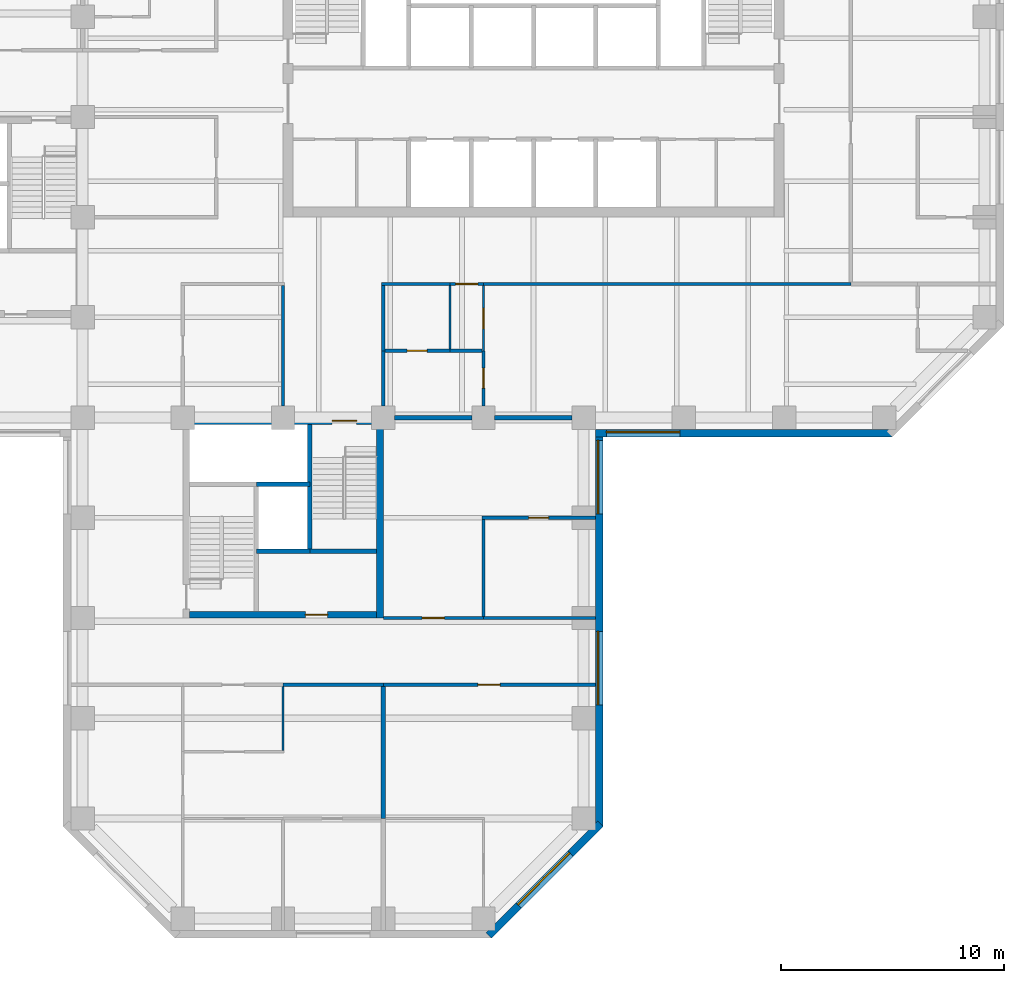
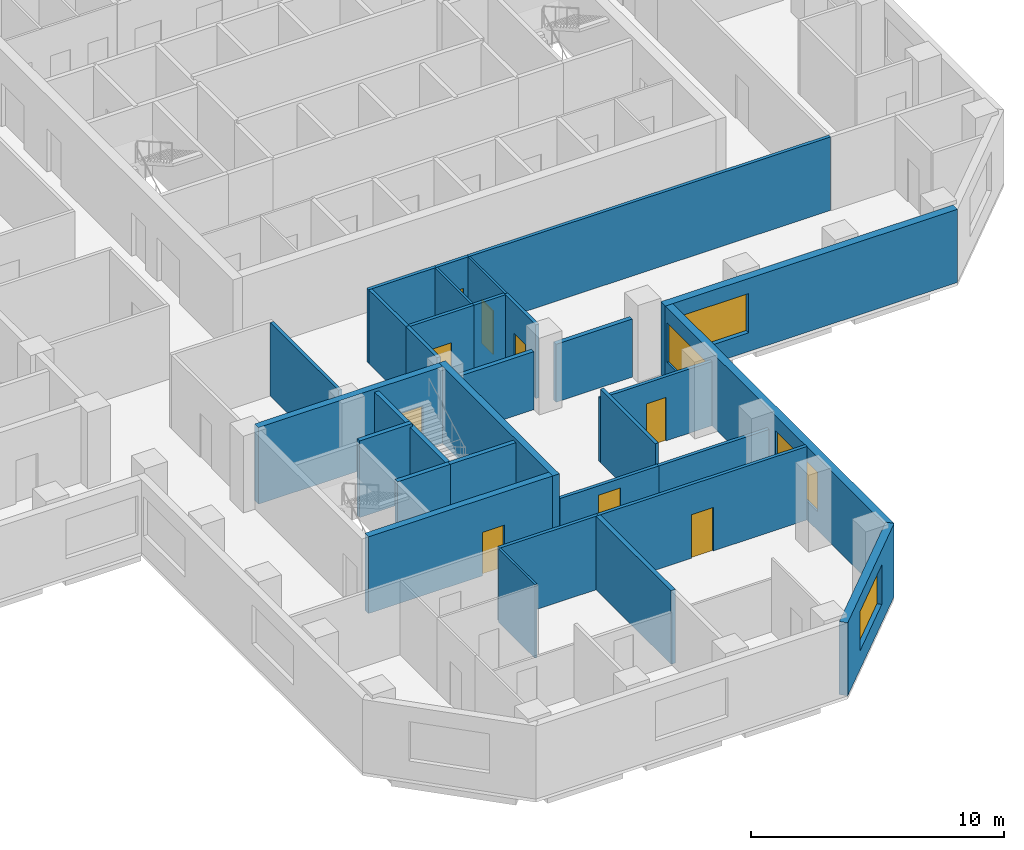
# One storey, part 4 of 11: 31 walls, 9 doors, 4 windows, 13 openings.
"""IFC4 building model written with IfcOpenShell, lengths in metres."""

from ifc_helpers import new_model, si_unit, direction, frame, frame_2d, origin, place, context, subcontext, project, spatial, rectangle, extrude, material, layer, layer_set, constituent, constituent_set, type_object, element, fill, save


model = new_model("IFC4")

# Units and contexts
model_context = context("Model", 3, precision=1e-05, world=origin(), true_north=direction((0.0, 1.0)))
body_context = subcontext(model_context, "Body", "Model", "MODEL_VIEW")
ifc_project = project(units=[si_unit("LENGTHUNIT", "METRE"), si_unit("AREAUNIT", "SQUARE_METRE"), si_unit("VOLUMEUNIT", "CUBIC_METRE"), si_unit("PLANEANGLEUNIT", "RADIAN"), si_unit("MASSUNIT", "GRAM", prefix="KILO")], contexts=[model_context])

# Site, building, storey
site_placement = place(None, origin())
site = spatial("IfcSite", under=ifc_project, at=site_placement, CompositionType="ELEMENT")
building_placement = place(site_placement, origin())
building = spatial("IfcBuilding", under=site, at=building_placement, Name="Quoin Convention Tower", CompositionType="ELEMENT")
storey_placement = place(building_placement, frame((0.0, 0.0, 115.89990234375)))
storey = spatial("IfcBuildingStorey", under=building, at=storey_placement, Name="L30", CompositionType="ELEMENT", Elevation=115.89990234375)

# Wall, opening, door
ifc_material_1 = material(Name="Plasterboard")
ifc_layer_1 = layer(ifc_material_1, 0.012451171875, Name="Finish")
ifc_material_2 = material(Name="Steel stud framing", Category="steel")
ifc_layer_2 = layer(ifc_material_2, 0.125, Name="Structure")
ifc_layer_3 = layer(ifc_material_1, 0.012451171875, Name="Finish")
ifc_layer_set_1 = layer_set([ifc_layer_1, ifc_layer_2, ifc_layer_3], Name="Steel stud framing")
wall_type_1 = type_object("IfcWallType", Name="Acoustic partition 150", PredefinedType="PARTITIONING", material=ifc_layer_set_1)
wall_1_placement = place(storey_placement, frame((49.574951171875, 43.5, 0.0), z_axis=(0.0, 0.0, 1.0), x_axis=(1.0, 0.0, 0.0)))
wall_1 = element("IfcWall", 1, at=wall_1_placement, inside=storey, type_object=wall_type_1, Name="pw-L30-014", PredefinedType="PARTITIONING", context=body_context, shape_type="SweptSolid", body=[
    extrude(rectangle(XDim=2.925048828125, YDim=0.14990234375, at=frame_2d((1.46240234375, 0.0))), origin(), (0.0, 0.0, 1.0), 3.550048828125),
])
opening_1_placement = place(wall_1_placement, frame((1.0, 0.0, 0.0)))
opening_1 = element("IfcOpeningElement", 2, at=opening_1_placement, cuts=wall_1, Name="Opening DOL6-08", PredefinedType="OPENING", context=body_context, shape_type="SweptSolid", body=[
    extrude(rectangle(XDim=0.89990234375, YDim=2.10009765625, at=frame_2d((0.449951171875, 1.050048828125))), frame((0.0, 0.0849609375, 0.0), z_axis=(0.0, -1.0, 0.0), x_axis=(1.0, 0.0, 0.0)), (0.0, 0.0, 1.0), 0.169921875),
])
ifc_material_3 = material(Name="Steel door leaf", Category="steel")
door_type_1 = type_object("IfcDoorType", Name="Office door 900 x 2100", OperationType="SINGLE_SWING_RIGHT", PredefinedType="DOOR", material=ifc_material_3)
door_1_placement = place(opening_1_placement, frame((0.89990234375, 0.0, 0.0), z_axis=(0.0, 0.0, 1.0), x_axis=(-1.0, 0.0, 0.0)))
door_1 = element("IfcDoor", 3, at=door_1_placement, inside=storey, type_object=door_type_1, Name="dr-L30-22", OperationType="SINGLE_SWING_LEFT", OverallHeight=2.10009765625, OverallWidth=0.89990234375, PredefinedType="DOOR", context=body_context, shape_type="SweptSolid", body=[
    extrude(rectangle(XDim=0.89990234375, YDim=2.10009765625, at=frame_2d((0.449951171875, 1.050048828125))), frame((0.0, 0.02490234375, 0.0), z_axis=(0.0, -1.0, 0.0), x_axis=(1.0, 0.0, 0.0)), (0.0, 0.0, 1.0), 0.050048828125),
])
fill(opening_1, door_1)

# Walls
wall_2_placement = place(storey_placement, frame((52.5, 43.5, 0.0), z_axis=(0.0, 0.0, 1.0), x_axis=(1.0, 0.0, 0.0)))
element("IfcWall", 4, at=wall_2_placement, inside=storey, type_object=wall_type_1, Name="pw-L30-015", PredefinedType="PARTITIONING", context=body_context, shape_type="SweptSolid", body=[
    extrude(rectangle(XDim=1.425048828125, YDim=0.14990234375, at=frame_2d((0.71240234375, 0.0))), origin(), (0.0, 0.0, 1.0), 3.550048828125),
])
wall_3_placement = place(storey_placement, frame((54.0, 31.574951171875, 0.0), z_axis=(0.0, 0.0, 1.0), x_axis=(0.0, 1.0, 0.0)))
element("IfcWall", 5, at=wall_3_placement, inside=storey, type_object=wall_type_1, Name="pw-L30-067", PredefinedType="PARTITIONING", context=body_context, shape_type="SweptSolid", body=[
    extrude(rectangle(XDim=4.35009765625, YDim=0.14990234375, at=frame_2d((2.175048828125, 0.0))), origin(), (0.0, 0.0, 1.0), 3.550048828125),
])

# Wall, opening, door
wall_4_placement = place(storey_placement, frame((54.0, 41.02490234375, 0.0), z_axis=(0.0, 0.0, 1.0), x_axis=(0.0, 1.0, 0.0)))
wall_4 = element("IfcWall", 6, at=wall_4_placement, inside=storey, type_object=wall_type_1, Name="pw-L30-072", PredefinedType="PARTITIONING", context=body_context, shape_type="SweptSolid", body=[
    extrude(rectangle(XDim=2.47509765625, YDim=0.14990234375, at=frame_2d((1.237548828125, 0.0))), origin(), (0.0, 0.0, 1.0), 3.550048828125),
])
opening_2_placement = place(wall_4_placement, frame((0.800048828125, 0.0, 0.0)))
opening_2 = element("IfcOpeningElement", 7, at=opening_2_placement, cuts=wall_4, Name="Opening DOL6-26", PredefinedType="OPENING", context=body_context, shape_type="SweptSolid", body=[
    extrude(rectangle(XDim=0.89990234375, YDim=2.10009765625, at=frame_2d((0.449951171875, 1.050048828125))), frame((0.0, 0.0849609375, 0.0), z_axis=(0.0, -1.0, 0.0), x_axis=(1.0, 0.0, 0.0)), (0.0, 0.0, 1.0), 0.169921875),
])
door_2_placement = place(opening_2_placement, frame((0.89990234375, 0.0, 0.0), z_axis=(0.0, 0.0, 1.0), x_axis=(-1.0, 0.0, 0.0)))
door_2 = element("IfcDoor", 8, at=door_2_placement, inside=storey, type_object=door_type_1, Name="dr-L30-21", OperationType="SINGLE_SWING_LEFT", OverallHeight=2.10009765625, OverallWidth=0.89990234375, PredefinedType="DOOR", context=body_context, shape_type="SweptSolid", body=[
    extrude(rectangle(XDim=0.89990234375, YDim=2.10009765625, at=frame_2d((0.449951171875, 1.050048828125))), frame((0.0, 0.02490234375, 0.0), z_axis=(0.0, -1.0, 0.0), x_axis=(1.0, 0.0, 0.0)), (0.0, 0.0, 1.0), 0.050048828125),
])
fill(opening_2, door_2)

ifc_layer_4 = layer(ifc_material_1, 0.012451171875, Name="Finish")
ifc_layer_5 = layer(ifc_material_2, 0.125, Name="Structure")
ifc_layer_6 = layer(ifc_material_1, 0.012451171875, Name="Finish")
ifc_layer_set_2 = layer_set([ifc_layer_4, ifc_layer_5, ifc_layer_6], Name="Steel stud framing")
wall_type_2 = type_object("IfcWallType", Name="Acoustic partition 150 under beam 454", PredefinedType="PARTITIONING", material=ifc_layer_set_2)
wall_5_placement = place(storey_placement, frame((53.925048828125, 36.0, 0.0), z_axis=(0.0, 0.0, 1.0), x_axis=(1.0, 0.0, 0.0)))
wall_5 = element("IfcWall", 9, at=wall_5_placement, inside=storey, type_object=wall_type_2, Name="pw-L30-011", PredefinedType="PARTITIONING", context=body_context, shape_type="SweptSolid", body=[
    extrude(rectangle(XDim=5.099853515625, YDim=0.14990234375, at=frame_2d((2.5498046875, 0.0))), origin(), (0.0, 0.0, 1.0), 3.09619140625),
])
opening_3_placement = place(wall_5_placement, frame((2.10009765625, 0.0, 0.0)))
opening_3 = element("IfcOpeningElement", 10, at=opening_3_placement, cuts=wall_5, Name="Opening DOL6-07", PredefinedType="OPENING", context=body_context, shape_type="SweptSolid", body=[
    extrude(rectangle(XDim=0.89990234375, YDim=2.10009765625, at=frame_2d((0.449951171875, 1.050048828125))), frame((0.0, 0.0849609375, 0.0), z_axis=(0.0, -1.0, 0.0), x_axis=(1.0, 0.0, 0.0)), (0.0, 0.0, 1.0), 0.169921875),
])
door_3_placement = place(opening_3_placement, origin())
door_3 = element("IfcDoor", 11, at=door_3_placement, inside=storey, type_object=door_type_1, Name="dr-L30-17", OperationType="SINGLE_SWING_RIGHT", OverallHeight=2.10009765625, OverallWidth=0.89990234375, PredefinedType="DOOR", context=body_context, shape_type="SweptSolid", body=[
    extrude(rectangle(XDim=0.89990234375, YDim=2.10009765625, at=frame_2d((0.449951171875, 1.050048828125))), frame((0.0, 0.02490234375, 0.0), z_axis=(0.0, -1.0, 0.0), x_axis=(1.0, 0.0, 0.0)), (0.0, 0.0, 1.0), 0.050048828125),
])
fill(opening_3, door_3)

# Wall, opening, window
ifc_material_4 = material(Name="Brick masonry", Category="masonry")
ifc_layer_7 = layer(ifc_material_4, 0.35009765625)
ifc_layer_set_3 = layer_set([ifc_layer_7], Name="Brick masonry")
wall_type_3 = type_object("IfcWallType", Name="Brick facade wall", PredefinedType="STANDARD", material=ifc_layer_set_3)
wall_6_placement = place(storey_placement, frame((59.02490234375, 39.800048828125, 0.0), z_axis=(0.0, 0.0, 1.0), x_axis=(1.0, 0.0, 0.0)))
wall_6 = element("IfcWall", 12, at=wall_6_placement, inside=storey, type_object=wall_type_3, Name="fw-L30-58500_40500", PredefinedType="STANDARD", context=body_context, shape_type="SweptSolid", body=[
    extrude(rectangle(XDim=13.33740234375, YDim=0.35009765625, at=frame_2d((6.668701171875, 0.0))), origin(), (0.0, 0.0, 1.0), 3.525146484375),
])
opening_4_placement = place(wall_6_placement, frame((0.5, 0.0, 0.89990234375)))
opening_4 = element("IfcOpeningElement", 13, at=opening_4_placement, cuts=wall_6, Name="Opening W-02", PredefinedType="OPENING", context=body_context, shape_type="SweptSolid", body=[
    extrude(rectangle(XDim=3.300048828125, YDim=1.89990234375, at=frame_2d((1.64990234375, 0.949951171875))), frame((0.0, 0.18505859375, 0.0), z_axis=(0.0, -1.0, 0.0), x_axis=(1.0, 0.0, 0.0)), (0.0, 0.0, 1.0), 0.3701171875),
])
ifc_material_5 = material(Name="Aluminium", Category="aluminium")
ifc_constituent_1 = constituent(ifc_material_5, Name="Frame")
ifc_material_6 = material(Name="Insulated glass", Category="glass")
ifc_constituent_2 = constituent(ifc_material_6, Name="Glazing")
ifc_constituent_set = constituent_set(constituents=[ifc_constituent_1, ifc_constituent_2], Name="Aluminium")
window_type = type_object("IfcWindowType", Name="Office window", PartitioningType="DOUBLE_PANEL_VERTICAL", PredefinedType="WINDOW", material=ifc_constituent_set)
window_1_placement = place(opening_4_placement, origin())
window_1 = element("IfcWindow", 14, at=window_1_placement, inside=storey, type_object=window_type, Name="win-L30-60750_39800", OverallHeight=1.89990234375, OverallWidth=3.300048828125, PartitioningType="SINGLE_PANEL", PredefinedType="WINDOW", context=body_context, shape_type="SweptSolid", body=[
    extrude(rectangle(XDim=3.300048828125, YDim=1.89990234375, at=frame_2d((1.64990234375, 0.949951171875))), frame((0.0, 0.0849609375, 0.0), z_axis=(0.0, -1.0, 0.0), x_axis=(1.0, 0.0, 0.0)), (0.0, 0.0, 1.0), 0.06005859375),
])
fill(opening_4, window_1)

wall_7_placement = place(storey_placement, frame((54.23876953125, 17.248779296875, 0.0), z_axis=(0.0, 0.0, 1.0), x_axis=(0.707106781187, 0.707106781187, 0.0)))
wall_7 = element("IfcWall", 15, at=wall_7_placement, inside=storey, type_object=wall_type_3, Name="fw-L30-54000_18000", PredefinedType="STANDARD", context=body_context, shape_type="SweptSolid", body=[
    extrude(rectangle(XDim=7.088623046875, YDim=0.35009765625, at=frame_2d((3.54443359375, 0.0))), origin(), (0.0, 0.0, 1.0), 3.525146484375),
])
opening_5_placement = place(wall_7_placement, frame((1.894287109375, 0.0, 0.89990234375)))
opening_5 = element("IfcOpeningElement", 16, at=opening_5_placement, cuts=wall_7, Name="Opening W-02", PredefinedType="OPENING", context=body_context, shape_type="SweptSolid", body=[
    extrude(rectangle(XDim=3.300048828125, YDim=1.89990234375, at=frame_2d((1.64990234375, 0.949951171875))), frame((0.0, 0.18505859375, 0.0), z_axis=(0.0, -1.0, 0.0), x_axis=(1.0, 0.0, 0.0)), (0.0, 0.0, 1.0), 0.3701171875),
])
window_2_placement = place(opening_5_placement, origin())
window_2 = element("IfcWindow", 17, at=window_2_placement, inside=storey, type_object=window_type, Name="win-L30-56745_19755", OverallHeight=1.89990234375, OverallWidth=3.300048828125, PartitioningType="SINGLE_PANEL", PredefinedType="WINDOW", context=body_context, shape_type="SweptSolid", body=[
    extrude(rectangle(XDim=3.300048828125, YDim=1.89990234375, at=frame_2d((1.64990234375, 0.949951171875))), frame((0.0, 0.0849609375, 0.0), z_axis=(0.0, -1.0, 0.0), x_axis=(1.0, 0.0, 0.0)), (0.0, 0.0, 1.0), 0.06005859375),
])
fill(opening_5, window_2)

# Wall, openings, windows
wall_8_placement = place(storey_placement, frame((59.199951171875, 22.1376953125, 0.0), z_axis=(0.0, 0.0, 1.0), x_axis=(0.0, 1.0, 0.0)))
wall_8 = element("IfcWall", 18, at=wall_8_placement, inside=storey, type_object=wall_type_3, Name="fw-L30-58500_22500", PredefinedType="STANDARD", context=body_context, shape_type="SweptSolid", body=[
    extrude(rectangle(XDim=17.83740234375, YDim=0.35009765625, at=frame_2d((8.918701171875, 0.0))), origin(), (0.0, 0.0, 1.0), 3.525146484375),
])
opening_6_placement = place(wall_8_placement, frame((5.46240234375, 0.0, 0.89990234375)))
opening_6 = element("IfcOpeningElement", 19, at=opening_6_placement, cuts=wall_8, Name="Opening W-02", PredefinedType="OPENING", context=body_context, shape_type="SweptSolid", body=[
    extrude(rectangle(XDim=3.300048828125, YDim=1.89990234375, at=frame_2d((1.64990234375, 0.949951171875))), frame((0.0, 0.18505859375, 0.0), z_axis=(0.0, -1.0, 0.0), x_axis=(1.0, 0.0, 0.0)), (0.0, 0.0, 1.0), 0.3701171875),
])
opening_7_placement = place(wall_8_placement, frame((14.037353515625, 0.0, 0.89990234375)))
opening_7 = element("IfcOpeningElement", 20, at=opening_7_placement, cuts=wall_8, Name="Opening W-02", PredefinedType="OPENING", context=body_context, shape_type="SweptSolid", body=[
    extrude(rectangle(XDim=3.300048828125, YDim=1.89990234375, at=frame_2d((1.64990234375, 0.949951171875))), frame((0.0, 0.18505859375, 0.0), z_axis=(0.0, -1.0, 0.0), x_axis=(1.0, 0.0, 0.0)), (0.0, 0.0, 1.0), 0.3701171875),
])
window_3_placement = place(opening_6_placement, origin())
window_3 = element("IfcWindow", 21, at=window_3_placement, inside=storey, type_object=window_type, Name="win-L30-59200_29250", OverallHeight=1.89990234375, OverallWidth=3.300048828125, PartitioningType="SINGLE_PANEL", PredefinedType="WINDOW", context=body_context, shape_type="SweptSolid", body=[
    extrude(rectangle(XDim=3.300048828125, YDim=1.89990234375, at=frame_2d((1.64990234375, 0.949951171875))), frame((0.0, 0.0849609375, 0.0), z_axis=(0.0, -1.0, 0.0), x_axis=(1.0, 0.0, 0.0)), (0.0, 0.0, 1.0), 0.06005859375),
])
fill(opening_6, window_3)
window_4_placement = place(opening_7_placement, origin())
window_4 = element("IfcWindow", 22, at=window_4_placement, inside=storey, type_object=window_type, Name="win-L30-59200_38250", OverallHeight=1.89990234375, OverallWidth=3.300048828125, PartitioningType="SINGLE_PANEL", PredefinedType="WINDOW", context=body_context, shape_type="SweptSolid", body=[
    extrude(rectangle(XDim=3.300048828125, YDim=1.89990234375, at=frame_2d((1.64990234375, 0.949951171875))), frame((0.0, 0.0849609375, 0.0), z_axis=(0.0, -1.0, 0.0), x_axis=(1.0, 0.0, 0.0)), (0.0, 0.0, 1.0), 0.06005859375),
])
fill(opening_7, window_4)

# Walls
ifc_material_7 = material(Name="Concrete C50", Category="concrete")
ifc_layer_8 = layer(ifc_material_7, 0.199951171875)
ifc_layer_set_4 = layer_set([ifc_layer_8], Name="Concrete C50")
wall_type_4 = type_object("IfcWallType", Name="Core shaft wall", PredefinedType="SOLIDWALL", material=ifc_layer_set_4)
wall_9_placement = place(storey_placement, frame((43.800048828125, 34.5, 0.0), z_axis=(0.0, 0.0, 1.0), x_axis=(1.0, 0.0, 0.0)))
element("IfcWall", 23, at=wall_9_placement, inside=storey, type_object=wall_type_4, Name="cr-P3-L30-h3000_3300", PredefinedType="SOLIDWALL", context=body_context, shape_type="SweptSolid", body=[
    extrude(rectangle(XDim=2.39990234375, YDim=0.199951171875, at=frame_2d((1.199951171875, 0.0))), origin(), (0.0, 0.0, 1.0), 3.550048828125),
])
wall_10_placement = place(storey_placement, frame((46.199951171875, 34.5, 0.0), z_axis=(0.0, 0.0, 1.0), x_axis=(1.0, 0.0, 0.0)))
element("IfcWall", 24, at=wall_10_placement, inside=storey, type_object=wall_type_4, Name="cr-P3-L30-h3000_5700", PredefinedType="SOLIDWALL", context=body_context, shape_type="SweptSolid", body=[
    extrude(rectangle(XDim=3.0, YDim=0.199951171875, at=frame_2d((1.5, 0.0))), origin(), (0.0, 0.0, 1.0), 3.550048828125),
])
wall_11_placement = place(storey_placement, frame((46.199951171875, 34.5, 0.0), z_axis=(0.0, 0.0, 1.0), x_axis=(0.0, 1.0, 0.0)))
element("IfcWall", 25, at=wall_11_placement, inside=storey, type_object=wall_type_4, Name="cr-P3-L30-v5700_3000", PredefinedType="SOLIDWALL", context=body_context, shape_type="SweptSolid", body=[
    extrude(rectangle(XDim=5.699951171875, YDim=0.199951171875, at=frame_2d((2.85009765625, 0.0))), origin(), (0.0, 0.0, 1.0), 3.550048828125),
])
ifc_layer_9 = layer(ifc_material_7, 0.199951171875)
ifc_layer_set_5 = layer_set([ifc_layer_9], Name="Concrete C50")
wall_type_5 = type_object("IfcWallType", Name="Core shaft wall to the floor level over", PredefinedType="SOLIDWALL", material=ifc_layer_set_5)
wall_12_placement = place(storey_placement, frame((43.800048828125, 37.5, 0.0), z_axis=(0.0, 0.0, 1.0), x_axis=(1.0, 0.0, 0.0)))
element("IfcWall", 26, at=wall_12_placement, inside=storey, type_object=wall_type_5, Name="cr-P3-L30-h6000_3300", PredefinedType="SOLIDWALL", context=body_context, shape_type="SweptSolid", body=[
    extrude(rectangle(XDim=2.39990234375, YDim=0.199951171875, at=frame_2d((1.199951171875, 0.0))), origin(), (0.0, 0.0, 1.0), 3.7001953125),
])
ifc_layer_10 = layer(ifc_material_1, 0.012451171875, Name="Finish")
ifc_layer_11 = layer(ifc_material_2, 0.125, Name="Structure")
ifc_layer_12 = layer(ifc_material_1, 0.012451171875, Name="Finish")
ifc_layer_set_6 = layer_set([ifc_layer_10, ifc_layer_11, ifc_layer_12], Name="Steel stud framing")
wall_type_6 = type_object("IfcWallType", Name="Corridor wall 150", PredefinedType="PARTITIONING", material=ifc_layer_set_6)
wall_13_placement = place(storey_placement, frame((45.0, 28.5, 0.0), z_axis=(0.0, 0.0, 1.0), x_axis=(1.0, 0.0, 0.0)))
element("IfcWall", 27, at=wall_13_placement, inside=storey, type_object=wall_type_6, Name="pw-L30-007", PredefinedType="PARTITIONING", context=body_context, shape_type="SweptSolid", body=[
    extrude(rectangle(XDim=4.5, YDim=0.14990234375, at=frame_2d((2.25, 0.0))), origin(), (0.0, 0.0, 1.0), 3.550048828125),
])

# Wall, opening, door
wall_14_placement = place(storey_placement, frame((49.5, 28.5, 0.0), z_axis=(0.0, 0.0, 1.0), x_axis=(1.0, 0.0, 0.0)))
wall_14 = element("IfcWall", 28, at=wall_14_placement, inside=storey, type_object=wall_type_6, Name="pw-L30-008", PredefinedType="PARTITIONING", context=body_context, shape_type="SweptSolid", body=[
    extrude(rectangle(XDim=9.52490234375, YDim=0.14990234375, at=frame_2d((4.762451171875, 0.0))), origin(), (0.0, 0.0, 1.0), 3.550048828125),
])
opening_8_placement = place(wall_14_placement, frame((4.25, 0.0, 0.0)))
opening_8 = element("IfcOpeningElement", 29, at=opening_8_placement, cuts=wall_14, Name="Opening DOL6-05", PredefinedType="OPENING", context=body_context, shape_type="SweptSolid", body=[
    extrude(rectangle(XDim=1.0, YDim=2.10009765625, at=frame_2d((0.5, 1.050048828125))), frame((0.0, 0.0849609375, 0.0), z_axis=(0.0, -1.0, 0.0), x_axis=(1.0, 0.0, 0.0)), (0.0, 0.0, 1.0), 0.169921875),
])
door_type_2 = type_object("IfcDoorType", Name="Tenancy entrance door 1000 x 2100", OperationType="DOUBLE_DOOR_SINGLE_SWING", PredefinedType="DOOR", material=ifc_material_3)
door_4_placement = place(opening_8_placement, frame((1.0, 0.0, 0.0), z_axis=(0.0, 0.0, 1.0), x_axis=(-1.0, 0.0, 0.0)))
door_4 = element("IfcDoor", 30, at=door_4_placement, inside=storey, type_object=door_type_2, Name="dr-L30-14", OperationType="DOUBLE_DOOR_SINGLE_SWING", OverallHeight=2.10009765625, OverallWidth=1.0, PredefinedType="DOOR", context=body_context, shape_type="SweptSolid", body=[
    extrude(rectangle(XDim=1.0, YDim=2.10009765625, at=frame_2d((0.5, 1.050048828125))), frame((0.0, 0.02490234375, 0.0), z_axis=(0.0, -1.0, 0.0), x_axis=(1.0, 0.0, 0.0)), (0.0, 0.0, 1.0), 0.050048828125),
])
fill(opening_8, door_4)

# Wall
wall_15_placement = place(storey_placement, frame((49.425048828125, 46.5, 0.0), z_axis=(0.0, 0.0, 1.0), x_axis=(1.0, 0.0, 0.0)))
element("IfcWall", 31, at=wall_15_placement, inside=storey, type_object=wall_type_6, Name="pw-L30-021", PredefinedType="PARTITIONING", context=body_context, shape_type="SweptSolid", body=[
    extrude(rectangle(XDim=3.074951171875, YDim=0.14990234375, at=frame_2d((1.53759765625, 0.0))), origin(), (0.0, 0.0, 1.0), 3.550048828125),
])

# Wall, opening, door
wall_16_placement = place(storey_placement, frame((52.5, 46.5, 0.0), z_axis=(0.0, 0.0, 1.0), x_axis=(1.0, 0.0, 0.0)))
wall_16 = element("IfcWall", 32, at=wall_16_placement, inside=storey, type_object=wall_type_6, Name="pw-L30-022", PredefinedType="PARTITIONING", context=body_context, shape_type="SweptSolid", body=[
    extrude(rectangle(XDim=1.5, YDim=0.14990234375, at=frame_2d((0.75, 0.0))), origin(), (0.0, 0.0, 1.0), 3.550048828125),
])
opening_9_placement = place(wall_16_placement, frame((0.25, 0.0, 0.0)))
opening_9 = element("IfcOpeningElement", 33, at=opening_9_placement, cuts=wall_16, Name="Opening DOL6-09", PredefinedType="OPENING", context=body_context, shape_type="SweptSolid", body=[
    extrude(rectangle(XDim=1.0, YDim=2.10009765625, at=frame_2d((0.5, 1.050048828125))), frame((0.0, 0.0849609375, 0.0), z_axis=(0.0, -1.0, 0.0), x_axis=(1.0, 0.0, 0.0)), (0.0, 0.0, 1.0), 0.169921875),
])
door_5_placement = place(opening_9_placement, frame((1.0, 0.0, 0.0), z_axis=(0.0, 0.0, 1.0), x_axis=(-1.0, 0.0, 0.0)))
door_5 = element("IfcDoor", 34, at=door_5_placement, inside=storey, type_object=door_type_2, Name="dr-L30-18", OperationType="DOUBLE_DOOR_SINGLE_SWING", OverallHeight=2.10009765625, OverallWidth=1.0, PredefinedType="DOOR", context=body_context, shape_type="SweptSolid", body=[
    extrude(rectangle(XDim=1.0, YDim=2.10009765625, at=frame_2d((0.5, 1.050048828125))), frame((0.0, 0.02490234375, 0.0), z_axis=(0.0, -1.0, 0.0), x_axis=(1.0, 0.0, 0.0)), (0.0, 0.0, 1.0), 0.050048828125),
])
fill(opening_9, door_5)

# Walls
wall_17_placement = place(storey_placement, frame((54.0, 46.5, 0.0), z_axis=(0.0, 0.0, 1.0), x_axis=(1.0, 0.0, 0.0)))
element("IfcWall", 35, at=wall_17_placement, inside=storey, type_object=wall_type_6, Name="pw-L30-023", PredefinedType="PARTITIONING", context=body_context, shape_type="SweptSolid", body=[
    extrude(rectangle(XDim=16.5, YDim=0.14990234375, at=frame_2d((8.25, 0.0))), origin(), (0.0, 0.0, 1.0), 3.550048828125),
])
wall_18_placement = place(storey_placement, frame((45.0, 41.02490234375, 0.0), z_axis=(0.0, 0.0, 1.0), x_axis=(0.0, 1.0, 0.0)))
element("IfcWall", 36, at=wall_18_placement, inside=storey, type_object=wall_type_6, Name="pw-L30-070", PredefinedType="PARTITIONING", context=body_context, shape_type="SweptSolid", body=[
    extrude(rectangle(XDim=5.400146484375, YDim=0.14990234375, at=frame_2d((2.7001953125, 0.0))), origin(), (0.0, 0.0, 1.0), 3.550048828125),
])
wall_19_placement = place(storey_placement, frame((49.5, 41.02490234375, 0.0), z_axis=(0.0, 0.0, 1.0), x_axis=(0.0, 1.0, 0.0)))
element("IfcWall", 37, at=wall_19_placement, inside=storey, type_object=wall_type_6, Name="pw-L30-071", PredefinedType="PARTITIONING", context=body_context, shape_type="SweptSolid", body=[
    extrude(rectangle(XDim=2.47509765625, YDim=0.14990234375, at=frame_2d((1.237548828125, 0.0))), origin(), (0.0, 0.0, 1.0), 3.550048828125),
])
wall_20_placement = place(storey_placement, frame((49.5, 43.5, 0.0), z_axis=(0.0, 0.0, 1.0), x_axis=(0.0, 1.0, 0.0)))
element("IfcWall", 38, at=wall_20_placement, inside=storey, type_object=wall_type_6, Name="pw-L30-073", PredefinedType="PARTITIONING", context=body_context, shape_type="SweptSolid", body=[
    extrude(rectangle(XDim=2.925048828125, YDim=0.14990234375, at=frame_2d((1.46240234375, 0.0))), origin(), (0.0, 0.0, 1.0), 3.550048828125),
])

# Wall, opening, door
ifc_layer_13 = layer(ifc_material_1, 0.012451171875, Name="Finish")
ifc_layer_14 = layer(ifc_material_2, 0.125, Name="Structure")
ifc_layer_15 = layer(ifc_material_1, 0.012451171875, Name="Finish")
ifc_layer_set_7 = layer_set([ifc_layer_13, ifc_layer_14, ifc_layer_15], Name="Steel stud framing")
wall_type_7 = type_object("IfcWallType", Name="Corridor wall 150 under beam 1000", PredefinedType="PARTITIONING", material=ifc_layer_set_7)
wall_21_placement = place(storey_placement, frame((49.5, 31.5, 0.0), z_axis=(0.0, 0.0, 1.0), x_axis=(1.0, 0.0, 0.0)))
wall_21 = element("IfcWall", 39, at=wall_21_placement, inside=storey, type_object=wall_type_7, Name="pw-L30-009", PredefinedType="PARTITIONING", context=body_context, shape_type="SweptSolid", body=[
    extrude(rectangle(XDim=4.5, YDim=0.14990234375, at=frame_2d((2.25, 0.0))), origin(), (0.0, 0.0, 1.0), 2.550048828125),
])
opening_10_placement = place(wall_21_placement, frame((1.75, 0.0, 0.0)))
opening_10 = element("IfcOpeningElement", 40, at=opening_10_placement, cuts=wall_21, Name="Opening DOL6-06", PredefinedType="OPENING", context=body_context, shape_type="SweptSolid", body=[
    extrude(rectangle(XDim=1.0, YDim=2.10009765625, at=frame_2d((0.5, 1.050048828125))), frame((0.0, 0.0849609375, 0.0), z_axis=(0.0, -1.0, 0.0), x_axis=(1.0, 0.0, 0.0)), (0.0, 0.0, 1.0), 0.169921875),
])
door_6_placement = place(opening_10_placement, origin())
door_6 = element("IfcDoor", 41, at=door_6_placement, inside=storey, type_object=door_type_2, Name="dr-L30-16", OperationType="DOUBLE_DOOR_SINGLE_SWING", OverallHeight=2.10009765625, OverallWidth=1.0, PredefinedType="DOOR", context=body_context, shape_type="SweptSolid", body=[
    extrude(rectangle(XDim=1.0, YDim=2.10009765625, at=frame_2d((0.5, 1.050048828125))), frame((0.0, 0.02490234375, 0.0), z_axis=(0.0, -1.0, 0.0), x_axis=(1.0, 0.0, 0.0)), (0.0, 0.0, 1.0), 0.050048828125),
])
fill(opening_10, door_6)

# Wall
wall_22_placement = place(storey_placement, frame((54.0, 31.5, 0.0), z_axis=(0.0, 0.0, 1.0), x_axis=(1.0, 0.0, 0.0)))
element("IfcWall", 42, at=wall_22_placement, inside=storey, type_object=wall_type_7, Name="pw-L30-010", PredefinedType="PARTITIONING", context=body_context, shape_type="SweptSolid", body=[
    extrude(rectangle(XDim=5.02490234375, YDim=0.14990234375, at=frame_2d((2.512451171875, 0.0))), origin(), (0.0, 0.0, 1.0), 2.550048828125),
])

# Wall, opening, door
ifc_material_8 = material(Name="Concrete C65", Category="concrete")
ifc_layer_16 = layer(ifc_material_8, 0.300048828125)
ifc_layer_set_8 = layer_set([ifc_layer_16], Name="Concrete C65")
wall_type_8 = type_object("IfcWallType", Name="RC CORE WALL 300 C65", PredefinedType="SHEAR", material=ifc_layer_set_8)
wall_23_placement = place(storey_placement, frame((40.800048828125, 31.64990234375, 0.0), z_axis=(0.0, 0.0, 1.0), x_axis=(1.0, 0.0, 0.0)))
wall_23 = element("IfcWall", 43, at=wall_23_placement, inside=storey, type_object=wall_type_8, Name="cwl-P3-L30-S", PredefinedType="SHEAR", context=body_context, shape_type="SweptSolid", body=[
    extrude(rectangle(XDim=8.39990234375, YDim=0.300048828125, at=frame_2d((4.199951171875, 0.0))), origin(), (0.0, 0.0, 1.0), 3.7001953125),
])
opening_11_placement = place(wall_23_placement, frame((5.199951171875, 0.0, 0.0)))
opening_11 = element("IfcOpeningElement", 44, at=opening_11_placement, cuts=wall_23, Name="Opening DCV4-43", PredefinedType="OPENING", context=body_context, shape_type="SweptSolid", body=[
    extrude(rectangle(XDim=1.0, YDim=2.10009765625, at=frame_2d((0.5, 1.050048828125))), frame((0.0, 0.159912109375, 0.0), z_axis=(0.0, -1.0, 0.0), x_axis=(1.0, 0.0, 0.0)), (0.0, 0.0, 1.0), 0.320068359375),
])
door_type_3 = type_object("IfcDoorType", Name="Service door 1000 x 2100", OperationType="SINGLE_SWING_LEFT", PredefinedType="DOOR", material=ifc_material_3)
door_7_placement = place(opening_11_placement, origin())
door_7 = element("IfcDoor", 45, at=door_7_placement, inside=storey, type_object=door_type_3, Name="cd-P3-L30-R2-S", OperationType="SINGLE_SWING_LEFT", OverallHeight=2.10009765625, OverallWidth=1.0, PredefinedType="DOOR", context=body_context, shape_type="SweptSolid", body=[
    extrude(rectangle(XDim=1.0, YDim=2.10009765625, at=frame_2d((0.5, 1.050048828125))), frame((0.0, 0.02490234375, 0.0), z_axis=(0.0, -1.0, 0.0), x_axis=(1.0, 0.0, 0.0)), (0.0, 0.0, 1.0), 0.050048828125),
])
fill(opening_11, door_7)

wall_24_placement = place(storey_placement, frame((40.800048828125, 40.35009765625, 0.0), z_axis=(0.0, 0.0, 1.0), x_axis=(1.0, 0.0, 0.0)))
wall_24 = element("IfcWall", 46, at=wall_24_placement, inside=storey, type_object=wall_type_8, Name="cwl-P3-L30-N", PredefinedType="SHEAR", context=body_context, shape_type="SweptSolid", body=[
    extrude(rectangle(XDim=8.39990234375, YDim=0.300048828125, at=frame_2d((4.199951171875, 0.0))), origin(), (0.0, 0.0, 1.0), 3.7001953125),
])
opening_12_placement = place(wall_24_placement, frame((6.39990234375, 0.0, 0.0)))
opening_12 = element("IfcOpeningElement", 47, at=opening_12_placement, cuts=wall_24, Name="Opening SD6", PredefinedType="OPENING", context=body_context, shape_type="SweptSolid", body=[
    extrude(rectangle(XDim=1.10009765625, YDim=2.10009765625, at=frame_2d((0.550048828125, 1.050048828125))), frame((0.0, 0.159912109375, 0.0), z_axis=(0.0, -1.0, 0.0), x_axis=(1.0, 0.0, 0.0)), (0.0, 0.0, 1.0), 0.320068359375),
])
door_type_4 = type_object("IfcDoorType", Name="Stair door 1100 x 2100", OperationType="SINGLE_SWING_RIGHT", PredefinedType="DOOR", material=ifc_material_3)
door_8_placement = place(opening_12_placement, frame((1.10009765625, 0.0, 0.0), z_axis=(0.0, 0.0, 1.0), x_axis=(-1.0, 0.0, 0.0)))
door_8 = element("IfcDoor", 48, at=door_8_placement, inside=storey, type_object=door_type_4, Name="cd-P3-L30-SB-N", OperationType="SINGLE_SWING_LEFT", OverallHeight=2.10009765625, OverallWidth=1.10009765625, PredefinedType="DOOR", context=body_context, shape_type="SweptSolid", body=[
    extrude(rectangle(XDim=1.10009765625, YDim=2.10009765625, at=frame_2d((0.550048828125, 1.050048828125))), frame((0.0, 0.02490234375, 0.0), z_axis=(0.0, -1.0, 0.0), x_axis=(1.0, 0.0, 0.0)), (0.0, 0.0, 1.0), 0.050048828125),
])
fill(opening_12, door_8)

# Walls
wall_25_placement = place(storey_placement, frame((49.35009765625, 31.5, 0.0), z_axis=(0.0, 0.0, 1.0), x_axis=(0.0, 1.0, 0.0)))
element("IfcWall", 49, at=wall_25_placement, inside=storey, type_object=wall_type_8, Name="cwl-P3-L30-E", PredefinedType="SHEAR", context=body_context, shape_type="SweptSolid", body=[
    extrude(rectangle(XDim=9.0, YDim=0.300048828125, at=frame_2d((4.5, 0.0))), origin(), (0.0, 0.0, 1.0), 3.7001953125),
])
ifc_layer_17 = layer(ifc_material_1, 0.012451171875, Name="Finish")
ifc_layer_18 = layer(ifc_material_2, 0.074951171875, Name="Structure")
ifc_layer_19 = layer(ifc_material_1, 0.012451171875, Name="Finish")
ifc_layer_set_9 = layer_set([ifc_layer_17, ifc_layer_18, ifc_layer_19], Name="Steel stud framing")
wall_type_9 = type_object("IfcWallType", Name="Stud partition 100", PredefinedType="PARTITIONING", material=ifc_layer_set_9)
wall_26_placement = place(storey_placement, frame((45.0, 25.550048828125, 0.0), z_axis=(0.0, 0.0, 1.0), x_axis=(0.0, 1.0, 0.0)))
element("IfcWall", 50, at=wall_26_placement, inside=storey, type_object=wall_type_9, Name="pw-L30-066", PredefinedType="PARTITIONING", context=body_context, shape_type="SweptSolid", body=[
    extrude(rectangle(XDim=2.875, YDim=0.10009765625, at=frame_2d((1.4375, 0.0))), origin(), (0.0, 0.0, 1.0), 3.550048828125),
])

# Wall, opening, door
wall_27_placement = place(storey_placement, frame((54.0, 43.5, 0.0), z_axis=(0.0, 0.0, 1.0), x_axis=(0.0, 1.0, 0.0)))
wall_27 = element("IfcWall", 51, at=wall_27_placement, inside=storey, type_object=wall_type_9, Name="pw-L30-074", PredefinedType="PARTITIONING", context=body_context, shape_type="SweptSolid", body=[
    extrude(rectangle(XDim=2.925048828125, YDim=0.10009765625, at=frame_2d((1.46240234375, 0.0))), origin(), (0.0, 0.0, 1.0), 3.550048828125),
])
opening_13_placement = place(wall_27_placement, frame((1.0, 0.0, 0.0)))
opening_13 = element("IfcOpeningElement", 52, at=opening_13_placement, cuts=wall_27, Name="Opening DOL6-27", PredefinedType="OPENING", context=body_context, shape_type="SweptSolid", body=[
    extrude(rectangle(XDim=0.89990234375, YDim=2.10009765625, at=frame_2d((0.449951171875, 1.050048828125))), frame((0.0, 0.06005859375, 0.0), z_axis=(0.0, -1.0, 0.0), x_axis=(1.0, 0.0, 0.0)), (0.0, 0.0, 1.0), 0.1201171875),
])
door_9_placement = place(opening_13_placement, frame((0.89990234375, 0.0, 0.0), z_axis=(0.0, 0.0, 1.0), x_axis=(-1.0, 0.0, 0.0)))
door_9 = element("IfcDoor", 53, at=door_9_placement, inside=storey, type_object=door_type_1, Name="dr-L30-19", OperationType="SINGLE_SWING_LEFT", OverallHeight=2.10009765625, OverallWidth=0.89990234375, PredefinedType="DOOR", context=body_context, shape_type="SweptSolid", body=[
    extrude(rectangle(XDim=0.89990234375, YDim=2.10009765625, at=frame_2d((0.449951171875, 1.050048828125))), frame((0.0, 0.02490234375, 0.0), z_axis=(0.0, -1.0, 0.0), x_axis=(1.0, 0.0, 0.0)), (0.0, 0.0, 1.0), 0.050048828125),
])
fill(opening_13, door_9)

# Walls
wall_28_placement = place(storey_placement, frame((52.5, 43.574951171875, 0.0), z_axis=(0.0, 0.0, 1.0), x_axis=(0.0, 1.0, 0.0)))
element("IfcWall", 54, at=wall_28_placement, inside=storey, type_object=wall_type_9, Name="pw-L30-075", PredefinedType="PARTITIONING", context=body_context, shape_type="SweptSolid", body=[
    extrude(rectangle(XDim=2.85009765625, YDim=0.10009765625, at=frame_2d((1.425048828125, 0.0))), origin(), (0.0, 0.0, 1.0), 3.550048828125),
])
ifc_layer_20 = layer(ifc_material_1, 0.012451171875, Name="Finish")
ifc_layer_21 = layer(ifc_material_2, 0.175048828125, Name="Structure")
ifc_layer_22 = layer(ifc_material_1, 0.012451171875, Name="Finish")
ifc_layer_set_10 = layer_set([ifc_layer_20, ifc_layer_21, ifc_layer_22], Name="Steel stud framing")
wall_type_10 = type_object("IfcWallType", Name="Tenancy demising wall 200", PredefinedType="PARTITIONING", material=ifc_layer_set_10)
wall_29_placement = place(storey_placement, frame((49.5, 22.5, 0.0), z_axis=(0.0, 0.0, 1.0), x_axis=(0.0, 1.0, 0.0)))
element("IfcWall", 55, at=wall_29_placement, inside=storey, type_object=wall_type_10, Name="pw-L30-064", PredefinedType="PARTITIONING", context=body_context, shape_type="SweptSolid", body=[
    extrude(rectangle(XDim=5.925048828125, YDim=0.199951171875, at=frame_2d((2.96240234375, 0.0))), origin(), (0.0, 0.0, 1.0), 3.550048828125),
])
ifc_layer_23 = layer(ifc_material_1, 0.012451171875, Name="Finish")
ifc_layer_24 = layer(ifc_material_2, 0.175048828125, Name="Structure")
ifc_layer_25 = layer(ifc_material_1, 0.012451171875, Name="Finish")
ifc_layer_set_11 = layer_set([ifc_layer_23, ifc_layer_24, ifc_layer_25], Name="Steel stud framing")
wall_type_11 = type_object("IfcWallType", Name="Tenancy demising wall 200 under beam 750", PredefinedType="PARTITIONING", material=ifc_layer_set_11)
wall_30_placement = place(storey_placement, frame((50.014892578125, 40.5, 0.0), z_axis=(0.0, 0.0, 1.0), x_axis=(1.0, 0.0, 0.0)))
element("IfcWall", 56, at=wall_30_placement, inside=storey, type_object=wall_type_11, Name="pw-L30-012", PredefinedType="PARTITIONING", context=body_context, shape_type="SweptSolid", body=[
    extrude(rectangle(XDim=3.460205078125, YDim=0.199951171875, at=frame_2d((1.72998046875, 0.0))), origin(), (0.0, 0.0, 1.0), 2.800048828125),
])
wall_31_placement = place(storey_placement, frame((54.4951171875, 40.5, 0.0), z_axis=(0.0, 0.0, 1.0), x_axis=(1.0, 0.0, 0.0)))
element("IfcWall", 57, at=wall_31_placement, inside=storey, type_object=wall_type_11, Name="pw-L30-013", PredefinedType="PARTITIONING", context=body_context, shape_type="SweptSolid", body=[
    extrude(rectangle(XDim=3.47998046875, YDim=0.199951171875, at=frame_2d((1.739990234375, 0.0))), origin(), (0.0, 0.0, 1.0), 2.800048828125),
])

save(model, "model.ifc")
